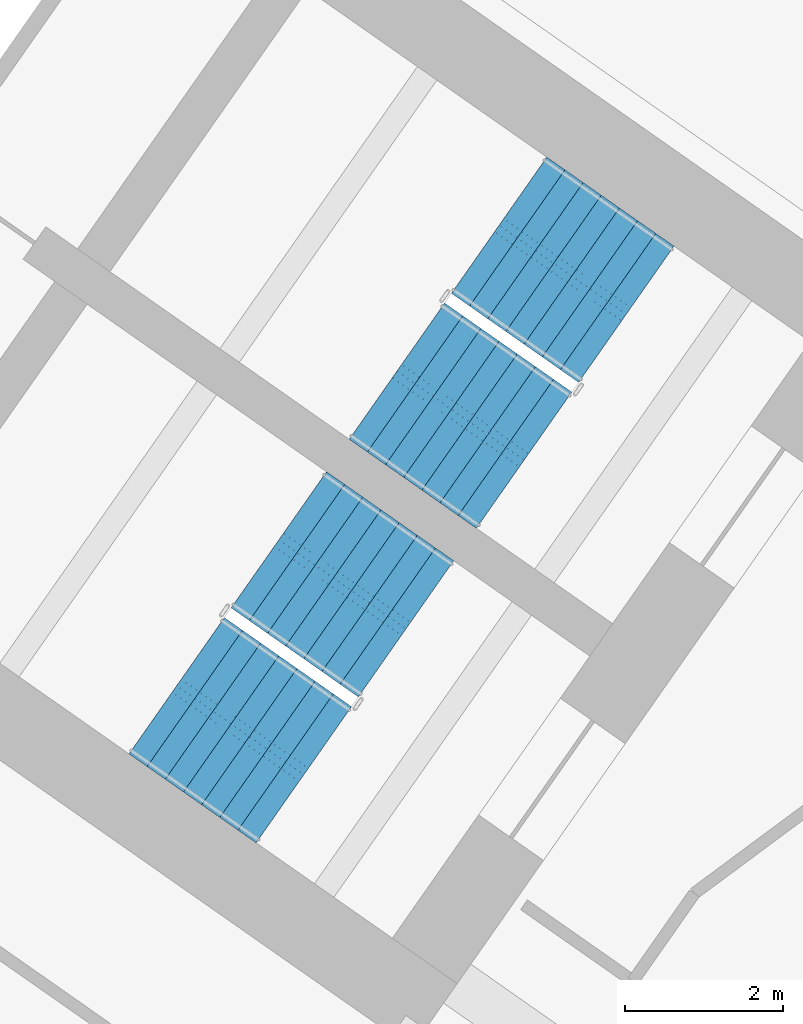
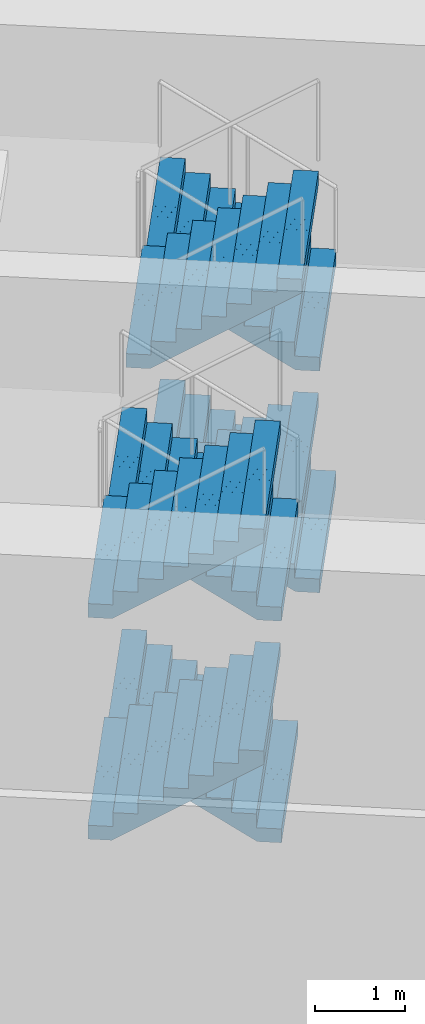
# One storey, part 16 of 25: 8 stair flights, 2 elements without a shape of their own.
"""IFC4 building model written with IfcOpenShell, lengths in metres."""

from ifc_helpers import new_model, si_unit, direction, frame, origin, place, context, subcontext, project, spatial, polyline, outline, extrude, material, type_object, element, aggregate, save


model = new_model("IFC4")

# Units and contexts
model_context = context("Model", 3, precision=1e-05, world=origin(), true_north=direction((0.0, 1.0)))
body_context = subcontext(model_context, "Body", "Model", "MODEL_VIEW")
ifc_project = project(units=[si_unit("LENGTHUNIT", "METRE"), si_unit("AREAUNIT", "SQUARE_METRE"), si_unit("VOLUMEUNIT", "CUBIC_METRE"), si_unit("PLANEANGLEUNIT", "RADIAN"), si_unit("MASSUNIT", "GRAM", prefix="KILO")], contexts=[model_context])

# Site, building, storey
site_placement = place(None, origin())
site = spatial("IfcSite", under=ifc_project, at=site_placement, CompositionType="ELEMENT")
building_placement = place(site_placement, origin())
building = spatial("IfcBuilding", under=site, at=building_placement, Name="Tel Ilan Convention Tower", CompositionType="ELEMENT")
storey_placement = place(building_placement, frame((0.0, 0.0, 26.0)))
storey = spatial("IfcBuildingStorey", under=building, at=storey_placement, Name="L03", CompositionType="ELEMENT", Elevation=26.0)

# Stair, stair flights
ifc_material_1 = material(Name="Concrete C40/50", Category="concrete")
stair_type = type_object("IfcStairType", Name="Pressurised Exit Stair 32 risers 188 mm", PredefinedType="HALF_TURN_STAIR", material=ifc_material_1)
stair_1_placement = place(storey_placement, origin())
stair_1 = element("IfcStair", 1, at=stair_1_placement, inside=storey, type_object=stair_type, Name="L03 Pressurised Stair S3", PredefinedType="HALF_TURN_STAIR")
ifc_material_2 = material(Name="Precast Concrete C40/50", Category="concrete")
stair_flight_type = type_object("IfcStairFlightType", Name="Concrete Stair Flight 2100 mm 32 risers 188 mm", PredefinedType="STRAIGHT", material=ifc_material_2)
stair_flight_1_placement = place(storey_placement, frame((24.25244140625, -7.032470703125, 0.0), z_axis=(0.0, 0.0, 1.0), x_axis=(-0.819152044289, 0.573576436351, 0.0)))
stair_flight_1 = element("IfcStairFlight", 2, at=stair_flight_1_placement, type_object=stair_flight_type, Name="S3 flight 1", NumberOfRisers=8, NumberOfTreads=7, PredefinedType="STRAIGHT", RiserHeight=0.1875, TreadLength=0.28, context=body_context, shape_type="SweptSolid", body=[
    extrude(outline(polyline([(0.0, 0.0), (0.0, 0.1875), (0.280029296875, 0.1875), (0.280029296875, 0.375), (0.56005859375, 0.375), (0.56005859375, 0.5625), (0.840087890625, 0.5625), (0.840087890625, 0.75), (1.1201171875, 0.75), (1.1201171875, 0.9375), (1.39990234375, 0.9375), (1.39990234375, 1.125), (1.679931640625, 1.125), (1.679931640625, 1.3125), (1.9599609375, 1.3125), (1.9599609375, 1.5), (1.9599609375, 1.132080078125), (0.26953125, 0.0), (0.0, 0.0)])), frame((0.0, -0.100341796875, 0.0), z_axis=(0.0, -1.0, 0.0), x_axis=(1.0, 0.0, 0.0)), (0.0, 0.0, 1.0), 0.94970703125),
    extrude(outline(polyline([(0.0, 0.0), (0.0, 0.1875), (0.280029296875, 0.1875), (0.280029296875, 0.375), (0.56005859375, 0.375), (0.56005859375, 0.5625), (0.840087890625, 0.5625), (0.840087890625, 0.75), (1.1201171875, 0.75), (1.1201171875, 0.9375), (1.39990234375, 0.9375), (1.39990234375, 1.125), (1.679931640625, 1.125), (1.679931640625, 1.3125), (1.9599609375, 1.3125), (1.9599609375, 1.5), (1.9599609375, 1.132080078125), (0.26953125, 0.0), (0.0, 0.0)])), frame((0.0, -0.000244140625, 0.0), z_axis=(0.0, -1.0, 0.0), x_axis=(1.0, 0.0, 0.0)), (0.0, 0.0, 1.0), 0.099609375),
    extrude(outline(polyline([(0.0, 0.0), (0.0, 0.1875), (0.280029296875, 0.1875), (0.280029296875, 0.375), (0.56005859375, 0.375), (0.56005859375, 0.5625), (0.840087890625, 0.5625), (0.840087890625, 0.75), (1.1201171875, 0.75), (1.1201171875, 0.9375), (1.39990234375, 0.9375), (1.39990234375, 1.125), (1.679931640625, 1.125), (1.679931640625, 1.3125), (1.9599609375, 1.3125), (1.9599609375, 1.5), (1.9599609375, 1.132080078125), (0.26953125, 0.0), (0.0, 0.0)])), frame((0.0, 0.099853515625, 0.0), z_axis=(0.0, -1.0, 0.0), x_axis=(1.0, 0.0, 0.0)), (0.0, 0.0, 1.0), 0.099609375),
    extrude(outline(polyline([(0.0, 0.0), (0.0, 0.1875), (0.280029296875, 0.1875), (0.280029296875, 0.375), (0.56005859375, 0.375), (0.56005859375, 0.5625), (0.840087890625, 0.5625), (0.840087890625, 0.75), (1.1201171875, 0.75), (1.1201171875, 0.9375), (1.39990234375, 0.9375), (1.39990234375, 1.125), (1.679931640625, 1.125), (1.679931640625, 1.3125), (1.9599609375, 1.3125), (1.9599609375, 1.5), (1.9599609375, 1.132080078125), (0.26953125, 0.0), (0.0, 0.0)])), frame((0.0, 1.050048828125, 0.0), z_axis=(0.0, -1.0, 0.0), x_axis=(1.0, 0.0, 0.0)), (0.0, 0.0, 1.0), 0.94970703125),
])
stair_flight_2_placement = place(storey_placement, frame((21.356201171875, -7.751220703125, 1.5), z_axis=(0.0, 0.0, 1.0), x_axis=(0.819152044289, -0.573576436351, 0.0)))
stair_flight_2 = element("IfcStairFlight", 3, at=stair_flight_2_placement, type_object=stair_flight_type, Name="S3 flight 2", NumberOfRisers=8, NumberOfTreads=7, PredefinedType="STRAIGHT", RiserHeight=0.1875, TreadLength=0.28, context=body_context, shape_type="SweptSolid", body=[
    extrude(outline(polyline([(0.0, 0.0), (0.0, 0.1875), (0.280029296875, 0.1875), (0.280029296875, 0.375), (0.56005859375, 0.375), (0.56005859375, 0.5625), (0.840087890625, 0.5625), (0.840087890625, 0.75), (1.1201171875, 0.75), (1.1201171875, 0.9375), (1.39990234375, 0.9375), (1.39990234375, 1.125), (1.679931640625, 1.125), (1.679931640625, 1.3125), (1.9599609375, 1.3125), (1.9599609375, 1.5), (1.9599609375, 1.132080078125), (0.26953125, 0.0), (0.0, 0.0)])), frame((0.0, -0.100341796875, 0.0), z_axis=(0.0, -1.0, 0.0), x_axis=(1.0, 0.0, 0.0)), (0.0, 0.0, 1.0), 0.94970703125),
    extrude(outline(polyline([(0.0, 0.0), (0.0, 0.1875), (0.280029296875, 0.1875), (0.280029296875, 0.375), (0.56005859375, 0.375), (0.56005859375, 0.5625), (0.840087890625, 0.5625), (0.840087890625, 0.75), (1.1201171875, 0.75), (1.1201171875, 0.9375), (1.39990234375, 0.9375), (1.39990234375, 1.125), (1.679931640625, 1.125), (1.679931640625, 1.3125), (1.9599609375, 1.3125), (1.9599609375, 1.5), (1.9599609375, 1.132080078125), (0.26953125, 0.0), (0.0, 0.0)])), frame((0.0, -0.000244140625, 0.0), z_axis=(0.0, -1.0, 0.0), x_axis=(1.0, 0.0, 0.0)), (0.0, 0.0, 1.0), 0.099609375),
    extrude(outline(polyline([(0.0, 0.0), (0.0, 0.1875), (0.280029296875, 0.1875), (0.280029296875, 0.375), (0.56005859375, 0.375), (0.56005859375, 0.5625), (0.840087890625, 0.5625), (0.840087890625, 0.75), (1.1201171875, 0.75), (1.1201171875, 0.9375), (1.39990234375, 0.9375), (1.39990234375, 1.125), (1.679931640625, 1.125), (1.679931640625, 1.3125), (1.9599609375, 1.3125), (1.9599609375, 1.5), (1.9599609375, 1.132080078125), (0.26953125, 0.0), (0.0, 0.0)])), frame((0.0, 0.099853515625, 0.0), z_axis=(0.0, -1.0, 0.0), x_axis=(1.0, 0.0, 0.0)), (0.0, 0.0, 1.0), 0.099609375),
    extrude(outline(polyline([(0.0, 0.0), (0.0, 0.1875), (0.280029296875, 0.1875), (0.280029296875, 0.375), (0.56005859375, 0.375), (0.56005859375, 0.5625), (0.840087890625, 0.5625), (0.840087890625, 0.75), (1.1201171875, 0.75), (1.1201171875, 0.9375), (1.39990234375, 0.9375), (1.39990234375, 1.125), (1.679931640625, 1.125), (1.679931640625, 1.3125), (1.9599609375, 1.3125), (1.9599609375, 1.5), (1.9599609375, 1.132080078125), (0.26953125, 0.0), (0.0, 0.0)])), frame((0.0, 1.050048828125, 0.0), z_axis=(0.0, -1.0, 0.0), x_axis=(1.0, 0.0, 0.0)), (0.0, 0.0, 1.0), 0.94970703125),
])
stair_flight_3_placement = place(storey_placement, frame((24.25244140625, -7.032470703125, 3.0), z_axis=(0.0, 0.0, 1.0), x_axis=(-0.819152044289, 0.573576436351, 0.0)))
stair_flight_3 = element("IfcStairFlight", 4, at=stair_flight_3_placement, type_object=stair_flight_type, Name="S3 flight 3", NumberOfRisers=8, NumberOfTreads=7, PredefinedType="STRAIGHT", RiserHeight=0.1875, TreadLength=0.28, context=body_context, shape_type="SweptSolid", body=[
    extrude(outline(polyline([(0.0, 0.0), (0.0, 0.1875), (0.280029296875, 0.1875), (0.280029296875, 0.375), (0.56005859375, 0.375), (0.56005859375, 0.5625), (0.840087890625, 0.5625), (0.840087890625, 0.75), (1.1201171875, 0.75), (1.1201171875, 0.9375), (1.39990234375, 0.9375), (1.39990234375, 1.125), (1.679931640625, 1.125), (1.679931640625, 1.3125), (1.9599609375, 1.3125), (1.9599609375, 1.5), (1.9599609375, 1.132080078125), (0.26953125, 0.0), (0.0, 0.0)])), frame((0.0, -0.100341796875, 0.0), z_axis=(0.0, -1.0, 0.0), x_axis=(1.0, 0.0, 0.0)), (0.0, 0.0, 1.0), 0.94970703125),
    extrude(outline(polyline([(0.0, 0.0), (0.0, 0.1875), (0.280029296875, 0.1875), (0.280029296875, 0.375), (0.56005859375, 0.375), (0.56005859375, 0.5625), (0.840087890625, 0.5625), (0.840087890625, 0.75), (1.1201171875, 0.75), (1.1201171875, 0.9375), (1.39990234375, 0.9375), (1.39990234375, 1.125), (1.679931640625, 1.125), (1.679931640625, 1.3125), (1.9599609375, 1.3125), (1.9599609375, 1.5), (1.9599609375, 1.132080078125), (0.26953125, 0.0), (0.0, 0.0)])), frame((0.0, -0.000244140625, 0.0), z_axis=(0.0, -1.0, 0.0), x_axis=(1.0, 0.0, 0.0)), (0.0, 0.0, 1.0), 0.099609375),
    extrude(outline(polyline([(0.0, 0.0), (0.0, 0.1875), (0.280029296875, 0.1875), (0.280029296875, 0.375), (0.56005859375, 0.375), (0.56005859375, 0.5625), (0.840087890625, 0.5625), (0.840087890625, 0.75), (1.1201171875, 0.75), (1.1201171875, 0.9375), (1.39990234375, 0.9375), (1.39990234375, 1.125), (1.679931640625, 1.125), (1.679931640625, 1.3125), (1.9599609375, 1.3125), (1.9599609375, 1.5), (1.9599609375, 1.132080078125), (0.26953125, 0.0), (0.0, 0.0)])), frame((0.0, 0.099853515625, 0.0), z_axis=(0.0, -1.0, 0.0), x_axis=(1.0, 0.0, 0.0)), (0.0, 0.0, 1.0), 0.099609375),
    extrude(outline(polyline([(0.0, 0.0), (0.0, 0.1875), (0.280029296875, 0.1875), (0.280029296875, 0.375), (0.56005859375, 0.375), (0.56005859375, 0.5625), (0.840087890625, 0.5625), (0.840087890625, 0.75), (1.1201171875, 0.75), (1.1201171875, 0.9375), (1.39990234375, 0.9375), (1.39990234375, 1.125), (1.679931640625, 1.125), (1.679931640625, 1.3125), (1.9599609375, 1.3125), (1.9599609375, 1.5), (1.9599609375, 1.132080078125), (0.26953125, 0.0), (0.0, 0.0)])), frame((0.0, 1.050048828125, 0.0), z_axis=(0.0, -1.0, 0.0), x_axis=(1.0, 0.0, 0.0)), (0.0, 0.0, 1.0), 0.94970703125),
])
stair_flight_4_placement = place(storey_placement, frame((21.356201171875, -7.751220703125, 4.5), z_axis=(0.0, 0.0, 1.0), x_axis=(0.819152044289, -0.573576436351, 0.0)))
stair_flight_4 = element("IfcStairFlight", 5, at=stair_flight_4_placement, type_object=stair_flight_type, Name="S3 flight 4", NumberOfRisers=8, NumberOfTreads=7, PredefinedType="STRAIGHT", RiserHeight=0.1875, TreadLength=0.28, context=body_context, shape_type="SweptSolid", body=[
    extrude(outline(polyline([(0.0, 0.0), (0.0, 0.1875), (0.280029296875, 0.1875), (0.280029296875, 0.375), (0.56005859375, 0.375), (0.56005859375, 0.5625), (0.840087890625, 0.5625), (0.840087890625, 0.75), (1.1201171875, 0.75), (1.1201171875, 0.9375), (1.39990234375, 0.9375), (1.39990234375, 1.125), (1.679931640625, 1.125), (1.679931640625, 1.3125), (1.9599609375, 1.3125), (1.9599609375, 1.5), (1.9599609375, 1.132080078125), (0.26953125, 0.0), (0.0, 0.0)])), frame((0.0, -0.100341796875, 0.0), z_axis=(0.0, -1.0, 0.0), x_axis=(1.0, 0.0, 0.0)), (0.0, 0.0, 1.0), 0.94970703125),
    extrude(outline(polyline([(0.0, 0.0), (0.0, 0.1875), (0.280029296875, 0.1875), (0.280029296875, 0.375), (0.56005859375, 0.375), (0.56005859375, 0.5625), (0.840087890625, 0.5625), (0.840087890625, 0.75), (1.1201171875, 0.75), (1.1201171875, 0.9375), (1.39990234375, 0.9375), (1.39990234375, 1.125), (1.679931640625, 1.125), (1.679931640625, 1.3125), (1.9599609375, 1.3125), (1.9599609375, 1.5), (1.9599609375, 1.132080078125), (0.26953125, 0.0), (0.0, 0.0)])), frame((0.0, -0.000244140625, 0.0), z_axis=(0.0, -1.0, 0.0), x_axis=(1.0, 0.0, 0.0)), (0.0, 0.0, 1.0), 0.099609375),
    extrude(outline(polyline([(0.0, 0.0), (0.0, 0.1875), (0.280029296875, 0.1875), (0.280029296875, 0.375), (0.56005859375, 0.375), (0.56005859375, 0.5625), (0.840087890625, 0.5625), (0.840087890625, 0.75), (1.1201171875, 0.75), (1.1201171875, 0.9375), (1.39990234375, 0.9375), (1.39990234375, 1.125), (1.679931640625, 1.125), (1.679931640625, 1.3125), (1.9599609375, 1.3125), (1.9599609375, 1.5), (1.9599609375, 1.132080078125), (0.26953125, 0.0), (0.0, 0.0)])), frame((0.0, 0.099853515625, 0.0), z_axis=(0.0, -1.0, 0.0), x_axis=(1.0, 0.0, 0.0)), (0.0, 0.0, 1.0), 0.099609375),
    extrude(outline(polyline([(0.0, 0.0), (0.0, 0.1875), (0.280029296875, 0.1875), (0.280029296875, 0.375), (0.56005859375, 0.375), (0.56005859375, 0.5625), (0.840087890625, 0.5625), (0.840087890625, 0.75), (1.1201171875, 0.75), (1.1201171875, 0.9375), (1.39990234375, 0.9375), (1.39990234375, 1.125), (1.679931640625, 1.125), (1.679931640625, 1.3125), (1.9599609375, 1.3125), (1.9599609375, 1.5), (1.9599609375, 1.132080078125), (0.26953125, 0.0), (0.0, 0.0)])), frame((0.0, 1.050048828125, 0.0), z_axis=(0.0, -1.0, 0.0), x_axis=(1.0, 0.0, 0.0)), (0.0, 0.0, 1.0), 0.94970703125),
])
aggregate(stair_1, [stair_flight_1, stair_flight_2, stair_flight_3, stair_flight_4])

stair_2_placement = place(storey_placement, origin())
stair_2 = element("IfcStair", 6, at=stair_2_placement, inside=storey, type_object=stair_type, Name="L03 Pressurised Stair S4", PredefinedType="HALF_TURN_STAIR")
stair_flight_5_placement = place(storey_placement, frame((21.470458984375, -11.00537109375, 0.0), z_axis=(0.0, 0.0, 1.0), x_axis=(-0.819152044289, 0.573576436351, 0.0)))
stair_flight_5 = element("IfcStairFlight", 7, at=stair_flight_5_placement, type_object=stair_flight_type, Name="S4 flight 1", NumberOfRisers=8, NumberOfTreads=7, PredefinedType="STRAIGHT", RiserHeight=0.1875, TreadLength=0.28, context=body_context, shape_type="SweptSolid", body=[
    extrude(outline(polyline([(0.0, 0.0), (0.0, 0.1875), (0.280029296875, 0.1875), (0.280029296875, 0.375), (0.56005859375, 0.375), (0.56005859375, 0.5625), (0.840087890625, 0.5625), (0.840087890625, 0.75), (1.1201171875, 0.75), (1.1201171875, 0.9375), (1.39990234375, 0.9375), (1.39990234375, 1.125), (1.679931640625, 1.125), (1.679931640625, 1.3125), (1.9599609375, 1.3125), (1.9599609375, 1.5), (1.9599609375, 1.132080078125), (0.26953125, 0.0), (0.0, 0.0)])), frame((0.0, -0.100341796875, 0.0), z_axis=(0.0, -1.0, 0.0), x_axis=(1.0, 0.0, 0.0)), (0.0, 0.0, 1.0), 0.94970703125),
    extrude(outline(polyline([(0.0, 0.0), (0.0, 0.1875), (0.280029296875, 0.1875), (0.280029296875, 0.375), (0.56005859375, 0.375), (0.56005859375, 0.5625), (0.840087890625, 0.5625), (0.840087890625, 0.75), (1.1201171875, 0.75), (1.1201171875, 0.9375), (1.39990234375, 0.9375), (1.39990234375, 1.125), (1.679931640625, 1.125), (1.679931640625, 1.3125), (1.9599609375, 1.3125), (1.9599609375, 1.5), (1.9599609375, 1.132080078125), (0.26953125, 0.0), (0.0, 0.0)])), frame((0.0, -0.000244140625, 0.0), z_axis=(0.0, -1.0, 0.0), x_axis=(1.0, 0.0, 0.0)), (0.0, 0.0, 1.0), 0.099609375),
    extrude(outline(polyline([(0.0, 0.0), (0.0, 0.1875), (0.280029296875, 0.1875), (0.280029296875, 0.375), (0.56005859375, 0.375), (0.56005859375, 0.5625), (0.840087890625, 0.5625), (0.840087890625, 0.75), (1.1201171875, 0.75), (1.1201171875, 0.9375), (1.39990234375, 0.9375), (1.39990234375, 1.125), (1.679931640625, 1.125), (1.679931640625, 1.3125), (1.9599609375, 1.3125), (1.9599609375, 1.5), (1.9599609375, 1.132080078125), (0.26953125, 0.0), (0.0, 0.0)])), frame((0.0, 0.099853515625, 0.0), z_axis=(0.0, -1.0, 0.0), x_axis=(1.0, 0.0, 0.0)), (0.0, 0.0, 1.0), 0.099609375),
    extrude(outline(polyline([(0.0, 0.0), (0.0, 0.1875), (0.280029296875, 0.1875), (0.280029296875, 0.375), (0.56005859375, 0.375), (0.56005859375, 0.5625), (0.840087890625, 0.5625), (0.840087890625, 0.75), (1.1201171875, 0.75), (1.1201171875, 0.9375), (1.39990234375, 0.9375), (1.39990234375, 1.125), (1.679931640625, 1.125), (1.679931640625, 1.3125), (1.9599609375, 1.3125), (1.9599609375, 1.5), (1.9599609375, 1.132080078125), (0.26953125, 0.0), (0.0, 0.0)])), frame((0.0, 1.050048828125, 0.0), z_axis=(0.0, -1.0, 0.0), x_axis=(1.0, 0.0, 0.0)), (0.0, 0.0, 1.0), 0.94970703125),
])
stair_flight_6_placement = place(storey_placement, frame((18.574462890625, -11.72412109375, 1.5), z_axis=(0.0, 0.0, 1.0), x_axis=(0.819152044289, -0.573576436351, 0.0)))
stair_flight_6 = element("IfcStairFlight", 8, at=stair_flight_6_placement, type_object=stair_flight_type, Name="S4 flight 2", NumberOfRisers=8, NumberOfTreads=7, PredefinedType="STRAIGHT", RiserHeight=0.1875, TreadLength=0.28, context=body_context, shape_type="SweptSolid", body=[
    extrude(outline(polyline([(0.0, 0.0), (0.0, 0.1875), (0.280029296875, 0.1875), (0.280029296875, 0.375), (0.56005859375, 0.375), (0.56005859375, 0.5625), (0.840087890625, 0.5625), (0.840087890625, 0.75), (1.1201171875, 0.75), (1.1201171875, 0.9375), (1.39990234375, 0.9375), (1.39990234375, 1.125), (1.679931640625, 1.125), (1.679931640625, 1.3125), (1.9599609375, 1.3125), (1.9599609375, 1.5), (1.9599609375, 1.132080078125), (0.26953125, 0.0), (0.0, 0.0)])), frame((0.0, -0.100341796875, 0.0), z_axis=(0.0, -1.0, 0.0), x_axis=(1.0, 0.0, 0.0)), (0.0, 0.0, 1.0), 0.94970703125),
    extrude(outline(polyline([(0.0, 0.0), (0.0, 0.1875), (0.280029296875, 0.1875), (0.280029296875, 0.375), (0.56005859375, 0.375), (0.56005859375, 0.5625), (0.840087890625, 0.5625), (0.840087890625, 0.75), (1.1201171875, 0.75), (1.1201171875, 0.9375), (1.39990234375, 0.9375), (1.39990234375, 1.125), (1.679931640625, 1.125), (1.679931640625, 1.3125), (1.9599609375, 1.3125), (1.9599609375, 1.5), (1.9599609375, 1.132080078125), (0.26953125, 0.0), (0.0, 0.0)])), frame((0.0, -0.000244140625, 0.0), z_axis=(0.0, -1.0, 0.0), x_axis=(1.0, 0.0, 0.0)), (0.0, 0.0, 1.0), 0.099609375),
    extrude(outline(polyline([(0.0, 0.0), (0.0, 0.1875), (0.280029296875, 0.1875), (0.280029296875, 0.375), (0.56005859375, 0.375), (0.56005859375, 0.5625), (0.840087890625, 0.5625), (0.840087890625, 0.75), (1.1201171875, 0.75), (1.1201171875, 0.9375), (1.39990234375, 0.9375), (1.39990234375, 1.125), (1.679931640625, 1.125), (1.679931640625, 1.3125), (1.9599609375, 1.3125), (1.9599609375, 1.5), (1.9599609375, 1.132080078125), (0.26953125, 0.0), (0.0, 0.0)])), frame((0.0, 0.099853515625, 0.0), z_axis=(0.0, -1.0, 0.0), x_axis=(1.0, 0.0, 0.0)), (0.0, 0.0, 1.0), 0.099609375),
    extrude(outline(polyline([(0.0, 0.0), (0.0, 0.1875), (0.280029296875, 0.1875), (0.280029296875, 0.375), (0.56005859375, 0.375), (0.56005859375, 0.5625), (0.840087890625, 0.5625), (0.840087890625, 0.75), (1.1201171875, 0.75), (1.1201171875, 0.9375), (1.39990234375, 0.9375), (1.39990234375, 1.125), (1.679931640625, 1.125), (1.679931640625, 1.3125), (1.9599609375, 1.3125), (1.9599609375, 1.5), (1.9599609375, 1.132080078125), (0.26953125, 0.0), (0.0, 0.0)])), frame((0.0, 1.050048828125, 0.0), z_axis=(0.0, -1.0, 0.0), x_axis=(1.0, 0.0, 0.0)), (0.0, 0.0, 1.0), 0.94970703125),
])
stair_flight_7_placement = place(storey_placement, frame((21.470458984375, -11.00537109375, 3.0), z_axis=(0.0, 0.0, 1.0), x_axis=(-0.819152044289, 0.573576436351, 0.0)))
stair_flight_7 = element("IfcStairFlight", 9, at=stair_flight_7_placement, type_object=stair_flight_type, Name="S4 flight 3", NumberOfRisers=8, NumberOfTreads=7, PredefinedType="STRAIGHT", RiserHeight=0.1875, TreadLength=0.28, context=body_context, shape_type="SweptSolid", body=[
    extrude(outline(polyline([(0.0, 0.0), (0.0, 0.1875), (0.280029296875, 0.1875), (0.280029296875, 0.375), (0.56005859375, 0.375), (0.56005859375, 0.5625), (0.840087890625, 0.5625), (0.840087890625, 0.75), (1.1201171875, 0.75), (1.1201171875, 0.9375), (1.39990234375, 0.9375), (1.39990234375, 1.125), (1.679931640625, 1.125), (1.679931640625, 1.3125), (1.9599609375, 1.3125), (1.9599609375, 1.5), (1.9599609375, 1.132080078125), (0.26953125, 0.0), (0.0, 0.0)])), frame((0.0, -0.100341796875, 0.0), z_axis=(0.0, -1.0, 0.0), x_axis=(1.0, 0.0, 0.0)), (0.0, 0.0, 1.0), 0.94970703125),
    extrude(outline(polyline([(0.0, 0.0), (0.0, 0.1875), (0.280029296875, 0.1875), (0.280029296875, 0.375), (0.56005859375, 0.375), (0.56005859375, 0.5625), (0.840087890625, 0.5625), (0.840087890625, 0.75), (1.1201171875, 0.75), (1.1201171875, 0.9375), (1.39990234375, 0.9375), (1.39990234375, 1.125), (1.679931640625, 1.125), (1.679931640625, 1.3125), (1.9599609375, 1.3125), (1.9599609375, 1.5), (1.9599609375, 1.132080078125), (0.26953125, 0.0), (0.0, 0.0)])), frame((0.0, -0.000244140625, 0.0), z_axis=(0.0, -1.0, 0.0), x_axis=(1.0, 0.0, 0.0)), (0.0, 0.0, 1.0), 0.099609375),
    extrude(outline(polyline([(0.0, 0.0), (0.0, 0.1875), (0.280029296875, 0.1875), (0.280029296875, 0.375), (0.56005859375, 0.375), (0.56005859375, 0.5625), (0.840087890625, 0.5625), (0.840087890625, 0.75), (1.1201171875, 0.75), (1.1201171875, 0.9375), (1.39990234375, 0.9375), (1.39990234375, 1.125), (1.679931640625, 1.125), (1.679931640625, 1.3125), (1.9599609375, 1.3125), (1.9599609375, 1.5), (1.9599609375, 1.132080078125), (0.26953125, 0.0), (0.0, 0.0)])), frame((0.0, 0.099853515625, 0.0), z_axis=(0.0, -1.0, 0.0), x_axis=(1.0, 0.0, 0.0)), (0.0, 0.0, 1.0), 0.099609375),
    extrude(outline(polyline([(0.0, 0.0), (0.0, 0.1875), (0.280029296875, 0.1875), (0.280029296875, 0.375), (0.56005859375, 0.375), (0.56005859375, 0.5625), (0.840087890625, 0.5625), (0.840087890625, 0.75), (1.1201171875, 0.75), (1.1201171875, 0.9375), (1.39990234375, 0.9375), (1.39990234375, 1.125), (1.679931640625, 1.125), (1.679931640625, 1.3125), (1.9599609375, 1.3125), (1.9599609375, 1.5), (1.9599609375, 1.132080078125), (0.26953125, 0.0), (0.0, 0.0)])), frame((0.0, 1.050048828125, 0.0), z_axis=(0.0, -1.0, 0.0), x_axis=(1.0, 0.0, 0.0)), (0.0, 0.0, 1.0), 0.94970703125),
])
stair_flight_8_placement = place(storey_placement, frame((18.574462890625, -11.72412109375, 4.5), z_axis=(0.0, 0.0, 1.0), x_axis=(0.819152044289, -0.573576436351, 0.0)))
stair_flight_8 = element("IfcStairFlight", 10, at=stair_flight_8_placement, type_object=stair_flight_type, Name="S4 flight 4", NumberOfRisers=8, NumberOfTreads=7, PredefinedType="STRAIGHT", RiserHeight=0.1875, TreadLength=0.28, context=body_context, shape_type="SweptSolid", body=[
    extrude(outline(polyline([(0.0, 0.0), (0.0, 0.1875), (0.280029296875, 0.1875), (0.280029296875, 0.375), (0.56005859375, 0.375), (0.56005859375, 0.5625), (0.840087890625, 0.5625), (0.840087890625, 0.75), (1.1201171875, 0.75), (1.1201171875, 0.9375), (1.39990234375, 0.9375), (1.39990234375, 1.125), (1.679931640625, 1.125), (1.679931640625, 1.3125), (1.9599609375, 1.3125), (1.9599609375, 1.5), (1.9599609375, 1.132080078125), (0.26953125, 0.0), (0.0, 0.0)])), frame((0.0, -0.100341796875, 0.0), z_axis=(0.0, -1.0, 0.0), x_axis=(1.0, 0.0, 0.0)), (0.0, 0.0, 1.0), 0.94970703125),
    extrude(outline(polyline([(0.0, 0.0), (0.0, 0.1875), (0.280029296875, 0.1875), (0.280029296875, 0.375), (0.56005859375, 0.375), (0.56005859375, 0.5625), (0.840087890625, 0.5625), (0.840087890625, 0.75), (1.1201171875, 0.75), (1.1201171875, 0.9375), (1.39990234375, 0.9375), (1.39990234375, 1.125), (1.679931640625, 1.125), (1.679931640625, 1.3125), (1.9599609375, 1.3125), (1.9599609375, 1.5), (1.9599609375, 1.132080078125), (0.26953125, 0.0), (0.0, 0.0)])), frame((0.0, -0.000244140625, 0.0), z_axis=(0.0, -1.0, 0.0), x_axis=(1.0, 0.0, 0.0)), (0.0, 0.0, 1.0), 0.099609375),
    extrude(outline(polyline([(0.0, 0.0), (0.0, 0.1875), (0.280029296875, 0.1875), (0.280029296875, 0.375), (0.56005859375, 0.375), (0.56005859375, 0.5625), (0.840087890625, 0.5625), (0.840087890625, 0.75), (1.1201171875, 0.75), (1.1201171875, 0.9375), (1.39990234375, 0.9375), (1.39990234375, 1.125), (1.679931640625, 1.125), (1.679931640625, 1.3125), (1.9599609375, 1.3125), (1.9599609375, 1.5), (1.9599609375, 1.132080078125), (0.26953125, 0.0), (0.0, 0.0)])), frame((0.0, 0.099853515625, 0.0), z_axis=(0.0, -1.0, 0.0), x_axis=(1.0, 0.0, 0.0)), (0.0, 0.0, 1.0), 0.099609375),
    extrude(outline(polyline([(0.0, 0.0), (0.0, 0.1875), (0.280029296875, 0.1875), (0.280029296875, 0.375), (0.56005859375, 0.375), (0.56005859375, 0.5625), (0.840087890625, 0.5625), (0.840087890625, 0.75), (1.1201171875, 0.75), (1.1201171875, 0.9375), (1.39990234375, 0.9375), (1.39990234375, 1.125), (1.679931640625, 1.125), (1.679931640625, 1.3125), (1.9599609375, 1.3125), (1.9599609375, 1.5), (1.9599609375, 1.132080078125), (0.26953125, 0.0), (0.0, 0.0)])), frame((0.0, 1.050048828125, 0.0), z_axis=(0.0, -1.0, 0.0), x_axis=(1.0, 0.0, 0.0)), (0.0, 0.0, 1.0), 0.94970703125),
])
aggregate(stair_2, [stair_flight_5, stair_flight_6, stair_flight_7, stair_flight_8])

save(model, "model.ifc")
